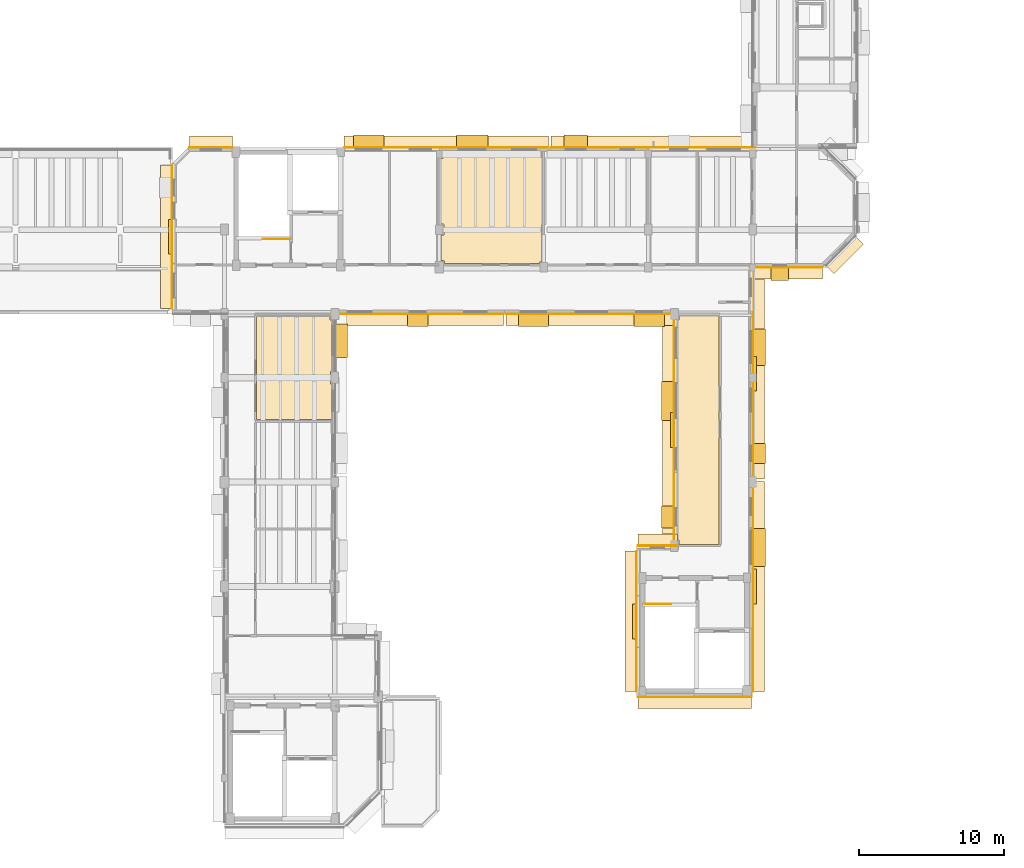
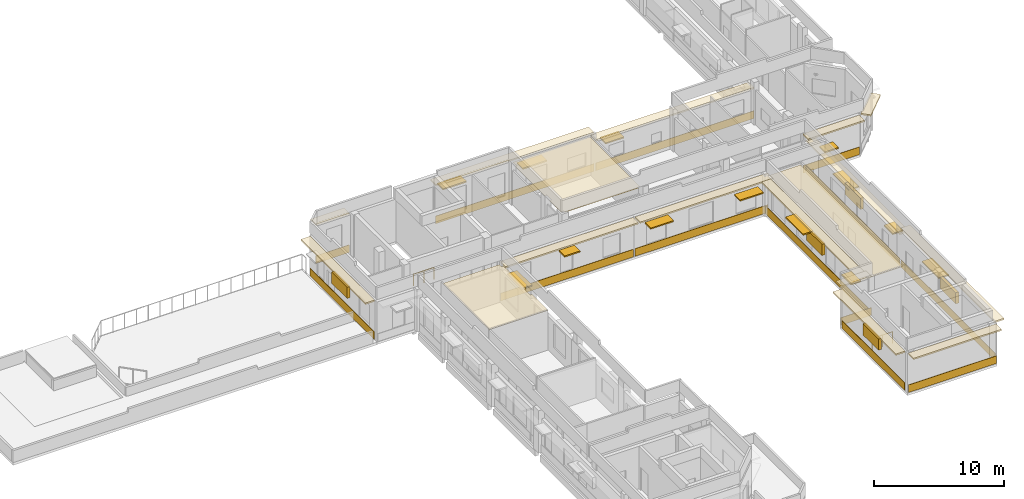
# One storey, part 15 of 17: 30 coverings, 18 shading devices, 2 railings.
"""IFC4 building model written with IfcOpenShell, lengths in metres."""

from ifc_helpers import new_model, si_unit, direction, frame, origin, origin_2d, place, context, subcontext, project, spatial, polyline, rectangle, circle, outline, extrude, material, layer, layer_set, type_object, element, save


model = new_model("IFC4")

# Units and contexts
model_context = context("Model", 3, precision=1e-05, world=origin(), true_north=direction((0.0, 1.0)))
body_context = subcontext(model_context, "Body", "Model", "MODEL_VIEW")
ifc_project = project(units=[si_unit("LENGTHUNIT", "METRE"), si_unit("AREAUNIT", "SQUARE_METRE"), si_unit("VOLUMEUNIT", "CUBIC_METRE"), si_unit("PLANEANGLEUNIT", "RADIAN"), si_unit("MASSUNIT", "GRAM", prefix="KILO")], contexts=[model_context])

# Site, building, storey
site_placement = place(None, origin())
site = spatial("IfcSite", under=ifc_project, at=site_placement, CompositionType="ELEMENT")
building_placement = place(site_placement, origin())
building = spatial("IfcBuilding", under=site, at=building_placement, Name="Kelanivale Promenade Academy", CompositionType="ELEMENT")
storey_placement = place(building_placement, frame((0.0, 0.0, 20.199951171875)))
storey = spatial("IfcBuildingStorey", under=building, at=storey_placement, Name="L05", CompositionType="ELEMENT", Elevation=20.199951171875)

# Coverings
ifc_material_1 = material(Name="Warm ivory Art Deco stucco frieze band 40 mm", Category="masonry")
ifc_layer_1 = layer(ifc_material_1, 0.0400390625)
ifc_layer_set_1 = layer_set([ifc_layer_1], Name="Warm ivory Art Deco stucco frieze band 40 mm")
covering_type_1 = type_object("IfcCoveringType", Name="COV-CLD2 Warm ivory Art Deco stucco frieze ba", PredefinedType="CLADDING", material=ifc_layer_set_1)
covering_1_placement = place(storey_placement, frame((92.510009765625, 68.0, 3.6201171875), z_axis=(0.0, 0.0, 1.0), x_axis=(1.0, 0.0, 0.0)))
element("IfcCovering", 1, at=covering_1_placement, inside=storey, type_object=covering_type_1, Name="Art Deco projecting 820 mm streamline sunshade eyebrow ledge", PredefinedType="CLADDING", context=body_context, shape_type="SweptSolid", body=[
    extrude(rectangle(XDim=11.820068359375, YDim=0.820068359375, at=origin_2d()), origin(), (0.0, 0.0, 1.0), 0.139892578125),
])
covering_2_placement = place(storey_placement, frame((92.510009765625, 68.385009765625, 0.06005859375), z_axis=(0.0, 0.0, 1.0), x_axis=(1.0, 0.0, 0.0)))
element("IfcCovering", 2, at=covering_2_placement, inside=storey, type_object=covering_type_1, Name="Art Deco ivory stucco sill frieze band", PredefinedType="CLADDING", context=body_context, shape_type="SweptSolid", body=[
    extrude(rectangle(XDim=11.820068359375, YDim=0.0400390625, at=origin_2d()), origin(), (0.0, 0.0, 1.0), 0.719970703125),
])
covering_3_placement = place(storey_placement, frame((104.489990234375, 68.0, 3.6201171875), z_axis=(0.0, 0.0, 1.0), x_axis=(1.0, 0.0, 0.0)))
element("IfcCovering", 3, at=covering_3_placement, inside=storey, type_object=covering_type_1, Name="Art Deco projecting 820 mm streamline sunshade eyebrow ledge", PredefinedType="CLADDING", context=body_context, shape_type="SweptSolid", body=[
    extrude(rectangle(XDim=11.820068359375, YDim=0.820068359375, at=origin_2d()), origin(), (0.0, 0.0, 1.0), 0.139892578125),
])
covering_4_placement = place(storey_placement, frame((104.489990234375, 68.385009765625, 0.06005859375), z_axis=(0.0, 0.0, 1.0), x_axis=(1.0, 0.0, 0.0)))
element("IfcCovering", 4, at=covering_4_placement, inside=storey, type_object=covering_type_1, Name="Art Deco ivory stucco sill frieze band", PredefinedType="CLADDING", context=body_context, shape_type="SweptSolid", body=[
    extrude(rectangle(XDim=11.820068359375, YDim=0.0400390625, at=origin_2d()), origin(), (0.0, 0.0, 1.0), 0.719970703125),
])
covering_5_placement = place(storey_placement, frame((109.800048828125, 60.39990234375, 3.6201171875), z_axis=(0.0, 0.0, 1.0), x_axis=(0.0, -1.0, 0.0)))
element("IfcCovering", 5, at=covering_5_placement, inside=storey, type_object=covering_type_1, Name="Art Deco projecting 820 mm streamline sunshade eyebrow ledge", PredefinedType="CLADDING", context=body_context, shape_type="SweptSolid", body=[
    extrude(rectangle(XDim=15.840087890625, YDim=0.820068359375, at=origin_2d()), origin(), (0.0, 0.0, 1.0), 0.139892578125),
])
covering_6_placement = place(storey_placement, frame((110.18505859375, 60.39990234375, 0.06005859375), z_axis=(0.0, 0.0, 1.0), x_axis=(0.0, -1.0, 0.0)))
element("IfcCovering", 6, at=covering_6_placement, inside=storey, type_object=covering_type_1, Name="Art Deco ivory stucco sill frieze band", PredefinedType="CLADDING", context=body_context, shape_type="SweptSolid", body=[
    extrude(rectangle(XDim=15.840087890625, YDim=0.0400390625, at=origin_2d()), origin(), (0.0, 0.0, 1.0), 0.719970703125),
])
covering_7_placement = place(storey_placement, frame((109.0400390625, 52.800048828125, 3.6201171875), z_axis=(0.0, 0.0, 1.0), x_axis=(-1.0, 0.0, 0.0)))
element("IfcCovering", 7, at=covering_7_placement, inside=storey, type_object=covering_type_1, Name="Art Deco projecting 820 mm streamline sunshade eyebrow ledge", PredefinedType="CLADDING", context=body_context, shape_type="SweptSolid", body=[
    extrude(rectangle(XDim=2.719970703125, YDim=0.820068359375, at=origin_2d()), origin(), (0.0, 0.0, 1.0), 0.139892578125),
])
covering_8_placement = place(storey_placement, frame((109.0400390625, 52.4150390625, 0.06005859375), z_axis=(0.0, 0.0, 1.0), x_axis=(-1.0, 0.0, 0.0)))
element("IfcCovering", 8, at=covering_8_placement, inside=storey, type_object=covering_type_1, Name="Art Deco ivory stucco sill frieze band", PredefinedType="CLADDING", context=body_context, shape_type="SweptSolid", body=[
    extrude(rectangle(XDim=2.719970703125, YDim=0.0400390625, at=origin_2d()), origin(), (0.0, 0.0, 1.0), 0.719970703125),
])
covering_9_placement = place(storey_placement, frame((107.199951171875, 47.199951171875, 3.6201171875), z_axis=(0.0, 0.0, 1.0), x_axis=(0.0, -1.0, 0.0)))
element("IfcCovering", 9, at=covering_9_placement, inside=storey, type_object=covering_type_1, Name="Art Deco projecting 820 mm streamline sunshade eyebrow ledge", PredefinedType="CLADDING", context=body_context, shape_type="SweptSolid", body=[
    extrude(rectangle(XDim=9.679931640625, YDim=0.820068359375, at=origin_2d()), origin(), (0.0, 0.0, 1.0), 0.139892578125),
])
covering_10_placement = place(storey_placement, frame((107.5849609375, 47.199951171875, 0.06005859375), z_axis=(0.0, 0.0, 1.0), x_axis=(0.0, -1.0, 0.0)))
element("IfcCovering", 10, at=covering_10_placement, inside=storey, type_object=covering_type_1, Name="Art Deco ivory stucco sill frieze band", PredefinedType="CLADDING", context=body_context, shape_type="SweptSolid", body=[
    extrude(rectangle(XDim=9.679931640625, YDim=0.0400390625, at=origin_2d()), origin(), (0.0, 0.0, 1.0), 0.719970703125),
])
covering_11_placement = place(storey_placement, frame((111.60009765625, 41.60009765625, 3.6201171875), z_axis=(0.0, 0.0, 1.0), x_axis=(1.0, 0.0, 0.0)))
element("IfcCovering", 11, at=covering_11_placement, inside=storey, type_object=covering_type_1, Name="Art Deco projecting 820 mm streamline sunshade eyebrow ledge", PredefinedType="CLADDING", context=body_context, shape_type="SweptSolid", body=[
    extrude(rectangle(XDim=7.840087890625, YDim=0.820068359375, at=origin_2d()), origin(), (0.0, 0.0, 1.0), 0.139892578125),
])
covering_12_placement = place(storey_placement, frame((111.60009765625, 41.985107421875, 0.06005859375), z_axis=(0.0, 0.0, 1.0), x_axis=(1.0, 0.0, 0.0)))
element("IfcCovering", 12, at=covering_12_placement, inside=storey, type_object=covering_type_1, Name="Art Deco ivory stucco sill frieze band", PredefinedType="CLADDING", context=body_context, shape_type="SweptSolid", body=[
    extrude(rectangle(XDim=7.840087890625, YDim=0.0400390625, at=origin_2d()), origin(), (0.0, 0.0, 1.0), 0.719970703125),
])
covering_13_placement = place(storey_placement, frame((116.0, 49.610107421875, 3.6201171875), z_axis=(0.0, 0.0, 1.0), x_axis=(0.0, 1.0, 0.0)))
element("IfcCovering", 13, at=covering_13_placement, inside=storey, type_object=covering_type_1, Name="Art Deco projecting 820 mm streamline sunshade eyebrow ledge", PredefinedType="CLADDING", context=body_context, shape_type="SweptSolid", body=[
    extrude(rectangle(XDim=14.5, YDim=0.820068359375, at=origin_2d()), origin(), (0.0, 0.0, 1.0), 0.139892578125),
])
covering_14_placement = place(storey_placement, frame((115.614990234375, 49.610107421875, 0.06005859375), z_axis=(0.0, 0.0, 1.0), x_axis=(0.0, 1.0, 0.0)))
element("IfcCovering", 14, at=covering_14_placement, inside=storey, type_object=covering_type_1, Name="Art Deco ivory stucco sill frieze band", PredefinedType="CLADDING", context=body_context, shape_type="SweptSolid", body=[
    extrude(rectangle(XDim=14.5, YDim=0.0400390625, at=origin_2d()), origin(), (0.0, 0.0, 1.0), 0.719970703125),
])
covering_15_placement = place(storey_placement, frame((116.0, 64.27001953125, 2.9951171875), z_axis=(0.0, 0.0, 1.0), x_axis=(0.0, 1.0, 0.0)))
element("IfcCovering", 15, at=covering_15_placement, inside=storey, type_object=covering_type_1, Name="Art Deco projecting 820 mm streamline sunshade eyebrow ledge", PredefinedType="CLADDING", context=body_context, shape_type="SweptSolid", body=[
    extrude(rectangle(XDim=14.5, YDim=0.820068359375, at=origin_2d()), origin(), (0.0, 0.0, 1.0), 0.139892578125),
])
covering_16_placement = place(storey_placement, frame((115.614990234375, 64.27001953125, 0.06005859375), z_axis=(0.0, 0.0, 1.0), x_axis=(0.0, 1.0, 0.0)))
element("IfcCovering", 16, at=covering_16_placement, inside=storey, type_object=covering_type_1, Name="Art Deco ivory stucco sill frieze band", PredefinedType="CLADDING", context=body_context, shape_type="SweptSolid", body=[
    extrude(rectangle(XDim=14.5, YDim=0.0400390625, at=origin_2d()), origin(), (0.0, 0.0, 1.0), 0.719970703125),
])
covering_17_placement = place(storey_placement, frame((117.904052734375, 71.199951171875, 3.6201171875), z_axis=(0.0, 0.0, 1.0), x_axis=(1.0, 0.0, 0.0)))
element("IfcCovering", 17, at=covering_17_placement, inside=storey, type_object=covering_type_1, Name="Art Deco projecting 820 mm streamline sunshade eyebrow ledge", PredefinedType="CLADDING", context=body_context, shape_type="SweptSolid", body=[
    extrude(rectangle(XDim=5.008056640625, YDim=0.820068359375, at=origin_2d()), origin(), (0.0, 0.0, 1.0), 0.139892578125),
])
covering_18_placement = place(storey_placement, frame((117.904052734375, 71.5849609375, 0.06005859375), z_axis=(0.0, 0.0, 1.0), x_axis=(1.0, 0.0, 0.0)))
element("IfcCovering", 18, at=covering_18_placement, inside=storey, type_object=covering_type_1, Name="Art Deco ivory stucco sill frieze band", PredefinedType="CLADDING", context=body_context, shape_type="SweptSolid", body=[
    extrude(rectangle(XDim=5.008056640625, YDim=0.0400390625, at=origin_2d()), origin(), (0.0, 0.0, 1.0), 0.719970703125),
])
covering_19_placement = place(storey_placement, frame((121.927978515625, 72.471923828125, 3.6201171875), z_axis=(0.0, 0.0, 1.0), x_axis=(0.707106781187, 0.707106781187, 0.0)))
element("IfcCovering", 19, at=covering_19_placement, inside=storey, type_object=covering_type_1, Name="Art Deco projecting 820 mm streamline sunshade eyebrow ledge", PredefinedType="CLADDING", context=body_context, shape_type="SweptSolid", body=[
    extrude(rectangle(XDim=2.865966796875, YDim=0.820068359375, at=origin_2d()), origin(), (0.0, 0.0, 1.0), 0.139892578125),
])
covering_20_placement = place(storey_placement, frame((108.7509765625, 80.25, 2.84521484375), z_axis=(0.0, 0.0, 1.0), x_axis=(-1.0, 0.0, 0.0)))
element("IfcCovering", 20, at=covering_20_placement, inside=storey, type_object=covering_type_1, Name="Art Deco projecting 820 mm streamline sunshade eyebrow ledge", PredefinedType="CLADDING", context=body_context, shape_type="SweptSolid", body=[
    extrude(rectangle(XDim=14.096923828125, YDim=0.820068359375, at=origin_2d()), origin(), (0.0, 0.0, 1.0), 0.139892578125),
])
covering_21_placement = place(storey_placement, frame((108.7509765625, 79.864990234375, 0.06005859375), z_axis=(0.0, 0.0, 1.0), x_axis=(-1.0, 0.0, 0.0)))
element("IfcCovering", 21, at=covering_21_placement, inside=storey, type_object=covering_type_1, Name="Art Deco ivory stucco sill frieze band", PredefinedType="CLADDING", context=body_context, shape_type="SweptSolid", body=[
    extrude(rectangle(XDim=14.096923828125, YDim=0.0400390625, at=origin_2d()), origin(), (0.0, 0.0, 1.0), 0.719970703125),
])
covering_22_placement = place(storey_placement, frame((94.493896484375, 80.25, 3.6201171875), z_axis=(0.0, 0.0, 1.0), x_axis=(-1.0, 0.0, 0.0)))
element("IfcCovering", 22, at=covering_22_placement, inside=storey, type_object=covering_type_1, Name="Art Deco projecting 820 mm streamline sunshade eyebrow ledge", PredefinedType="CLADDING", context=body_context, shape_type="SweptSolid", body=[
    extrude(rectangle(XDim=14.097900390625, YDim=0.820068359375, at=origin_2d()), origin(), (0.0, 0.0, 1.0), 0.139892578125),
])
covering_23_placement = place(storey_placement, frame((94.493896484375, 79.864990234375, 0.06005859375), z_axis=(0.0, 0.0, 1.0), x_axis=(-1.0, 0.0, 0.0)))
element("IfcCovering", 23, at=covering_23_placement, inside=storey, type_object=covering_type_1, Name="Art Deco ivory stucco sill frieze band", PredefinedType="CLADDING", context=body_context, shape_type="SweptSolid", body=[
    extrude(rectangle(XDim=14.097900390625, YDim=0.0400390625, at=origin_2d()), origin(), (0.0, 0.0, 1.0), 0.719970703125),
])
covering_24_placement = place(storey_placement, frame((78.26806640625, 80.25, 3.6201171875), z_axis=(0.0, 0.0, 1.0), x_axis=(-1.0, 0.0, 0.0)))
element("IfcCovering", 24, at=covering_24_placement, inside=storey, type_object=covering_type_1, Name="Art Deco projecting 820 mm streamline sunshade eyebrow ledge", PredefinedType="CLADDING", context=body_context, shape_type="SweptSolid", body=[
    extrude(rectangle(XDim=2.972900390625, YDim=0.820068359375, at=origin_2d()), origin(), (0.0, 0.0, 1.0), 0.139892578125),
])
covering_25_placement = place(storey_placement, frame((78.26806640625, 79.864990234375, 0.06005859375), z_axis=(0.0, 0.0, 1.0), x_axis=(-1.0, 0.0, 0.0)))
element("IfcCovering", 25, at=covering_25_placement, inside=storey, type_object=covering_type_1, Name="Art Deco ivory stucco sill frieze band", PredefinedType="CLADDING", context=body_context, shape_type="SweptSolid", body=[
    extrude(rectangle(XDim=2.972900390625, YDim=0.0400390625, at=origin_2d()), origin(), (0.0, 0.0, 1.0), 0.719970703125),
])
covering_26_placement = place(storey_placement, frame((75.199951171875, 73.714111328125, 3.6201171875), z_axis=(0.0, 0.0, 1.0), x_axis=(0.0, -1.0, 0.0)))
element("IfcCovering", 26, at=covering_26_placement, inside=storey, type_object=covering_type_1, Name="Art Deco projecting 820 mm streamline sunshade eyebrow ledge", PredefinedType="CLADDING", context=body_context, shape_type="SweptSolid", body=[
    extrude(rectangle(XDim=9.907958984375, YDim=0.820068359375, at=origin_2d()), origin(), (0.0, 0.0, 1.0), 0.139892578125),
])
covering_27_placement = place(storey_placement, frame((75.5849609375, 73.714111328125, 0.06005859375), z_axis=(0.0, 0.0, 1.0), x_axis=(0.0, -1.0, 0.0)))
element("IfcCovering", 27, at=covering_27_placement, inside=storey, type_object=covering_type_1, Name="Art Deco ivory stucco sill frieze band", PredefinedType="CLADDING", context=body_context, shape_type="SweptSolid", body=[
    extrude(rectangle(XDim=9.907958984375, YDim=0.0400390625, at=origin_2d()), origin(), (0.0, 0.0, 1.0), 0.719970703125),
])
ifc_material_2 = material(Name="Acoustic mineral-fibre ceiling tile 25 mm", Category="gypsum")
ifc_layer_2 = layer(ifc_material_2, 0.02490234375)
ifc_layer_set_2 = layer_set([ifc_layer_2], Name="Acoustic mineral-fibre ceiling tile 25 mm")
covering_type_2 = type_object("IfcCoveringType", Name="COV-CLG1 Acoustic mineral-fibre ceiling tile ", PredefinedType="CEILING", material=ifc_layer_set_2)
covering_28_placement = place(storey_placement, frame((0.0, 0.0, 3.550048828125)))
element("IfcCovering", 28, at=covering_28_placement, inside=storey, type_object=covering_type_2, Name="Sixth Form Media Tutorial Studio acoustic suspended ceiling", PredefinedType="CEILING", context=body_context, shape_type="SweptSolid", body=[
    extrude(outline(polyline([(110.35009765625, 52.8349609375), (110.469970703125, 52.8349609375), (110.47412109375, 52.8349609375), (110.47802734375, 52.833984375), (110.48193359375, 52.8330078125), (110.485107421875, 52.83203125), (110.489013671875, 52.830078125), (110.491943359375, 52.827880859375), (110.4951171875, 52.825927734375), (110.498046875, 52.822998046875), (110.5009765625, 52.820068359375), (110.5029296875, 52.81689453125), (110.5048828125, 52.81396484375), (110.507080078125, 52.81005859375), (110.508056640625, 52.806884765625), (110.509033203125, 52.802978515625), (110.510009765625, 52.799072265625), (110.510009765625, 52.794921875), (110.510009765625, 52.510009765625), (113.2900390625, 52.510009765625), (113.2900390625, 68.2900390625), (110.534912109375, 68.2900390625), (110.534912109375, 68.0048828125), (110.534912109375, 68.0009765625), (110.533935546875, 67.9970703125), (110.532958984375, 67.992919921875), (110.531982421875, 67.989990234375), (110.530029296875, 67.986083984375), (110.528076171875, 67.98291015625), (110.52587890625, 67.97998046875), (110.52294921875, 67.97705078125), (110.52001953125, 67.97412109375), (110.51708984375, 67.971923828125), (110.513916015625, 67.969970703125), (110.510009765625, 67.968017578125), (110.507080078125, 67.967041015625), (110.5029296875, 67.966064453125), (110.4990234375, 67.965087890625), (110.4951171875, 67.965087890625), (110.35009765625, 67.965087890625), (110.35009765625, 52.8349609375)])), origin(), (0.0, 0.0, 1.0), 0.02490234375),
])
covering_29_placement = place(storey_placement, frame((0.0, 0.0, 3.550048828125)))
element("IfcCovering", 29, at=covering_29_placement, inside=storey, type_object=covering_type_2, Name="Examinations Office acoustic suspended ceiling", PredefinedType="CEILING", context=body_context, shape_type="SweptSolid", body=[
    extrude(outline(polyline([(81.409912109375, 61.110107421875), (86.64990234375, 61.110107421875), (86.64990234375, 63.56494140625), (86.530029296875, 63.56494140625), (86.52587890625, 63.56494140625), (86.52197265625, 63.56591796875), (86.51806640625, 63.56689453125), (86.514892578125, 63.568115234375), (86.510986328125, 63.570068359375), (86.508056640625, 63.572021484375), (86.5048828125, 63.573974609375), (86.501953125, 63.576904296875), (86.4990234375, 63.580078125), (86.4970703125, 63.5830078125), (86.4951171875, 63.5859375), (86.492919921875, 63.590087890625), (86.491943359375, 63.593017578125), (86.490966796875, 63.596923828125), (86.489990234375, 63.60107421875), (86.489990234375, 63.60498046875), (86.489990234375, 64.39501953125), (86.489990234375, 64.39892578125), (86.490966796875, 64.403076171875), (86.491943359375, 64.406982421875), (86.492919921875, 64.409912109375), (86.4951171875, 64.4140625), (86.4970703125, 64.4169921875), (86.4990234375, 64.419921875), (86.501953125, 64.423095703125), (86.5048828125, 64.426025390625), (86.508056640625, 64.427978515625), (86.510986328125, 64.429931640625), (86.514892578125, 64.431884765625), (86.51806640625, 64.43310546875), (86.52197265625, 64.43408203125), (86.52587890625, 64.43505859375), (86.530029296875, 64.43505859375), (86.64990234375, 64.43505859375), (86.64990234375, 67.965087890625), (86.5048828125, 67.965087890625), (86.5009765625, 67.965087890625), (86.4970703125, 67.966064453125), (86.492919921875, 67.967041015625), (86.489990234375, 67.968017578125), (86.486083984375, 67.969970703125), (86.48291015625, 67.971923828125), (86.47998046875, 67.97412109375), (86.47705078125, 67.97705078125), (86.47412109375, 67.97998046875), (86.471923828125, 67.98291015625), (86.469970703125, 67.986083984375), (86.468017578125, 67.989990234375), (86.467041015625, 67.992919921875), (86.466064453125, 67.9970703125), (86.465087890625, 68.0009765625), (86.465087890625, 68.0048828125), (86.465087890625, 68.2900390625), (81.409912109375, 68.2900390625), (81.409912109375, 61.110107421875)])), origin(), (0.0, 0.0, 1.0), 0.02490234375),
])
covering_30_placement = place(storey_placement, frame((0.0, 0.0, 3.550048828125)))
element("IfcCovering", 30, at=covering_30_placement, inside=storey, type_object=covering_type_2, Name="Sixth Form Classroom East acoustic suspended ceiling", PredefinedType="CEILING", context=body_context, shape_type="SweptSolid", body=[
    extrude(outline(polyline([(100.889892578125, 71.860107421875), (100.889892578125, 71.945068359375), (100.889892578125, 71.948974609375), (100.89111328125, 71.952880859375), (100.89208984375, 71.95703125), (100.89306640625, 71.9599609375), (100.89501953125, 71.964111328125), (100.89697265625, 71.967041015625), (100.89892578125, 71.969970703125), (100.902099609375, 71.972900390625), (100.905029296875, 71.97607421875), (100.907958984375, 71.97802734375), (100.910888671875, 71.97998046875), (100.9150390625, 71.98193359375), (100.91796875, 71.98291015625), (100.922119140625, 71.98388671875), (100.926025390625, 71.985107421875), (100.929931640625, 71.985107421875), (101.090087890625, 71.985107421875), (101.090087890625, 79.699951171875), (94.24609375, 79.699951171875), (94.248046875, 79.697998046875), (94.2509765625, 79.695068359375), (94.2529296875, 79.69189453125), (94.2548828125, 79.68896484375), (94.257080078125, 79.68505859375), (94.258056640625, 79.681884765625), (94.259033203125, 79.677978515625), (94.260009765625, 79.674072265625), (94.260009765625, 79.669921875), (94.260009765625, 79.1298828125), (94.260009765625, 79.1259765625), (94.259033203125, 79.1220703125), (94.258056640625, 79.117919921875), (94.257080078125, 79.114990234375), (94.2548828125, 79.111083984375), (94.2529296875, 79.10791015625), (94.2509765625, 79.10498046875), (94.248046875, 79.10205078125), (94.2451171875, 79.09912109375), (94.241943359375, 79.096923828125), (94.239013671875, 79.094970703125), (94.235107421875, 79.093017578125), (94.23193359375, 79.092041015625), (94.22802734375, 79.091064453125), (94.22412109375, 79.090087890625), (94.219970703125, 79.090087890625), (94.110107421875, 79.090087890625), (94.110107421875, 74.5849609375), (94.27001953125, 74.5849609375), (94.27392578125, 74.5849609375), (94.278076171875, 74.583984375), (94.281982421875, 74.5830078125), (94.284912109375, 74.58203125), (94.2890625, 74.580078125), (94.2919921875, 74.577880859375), (94.294921875, 74.575927734375), (94.298095703125, 74.572998046875), (94.301025390625, 74.570068359375), (94.302978515625, 74.56689453125), (94.304931640625, 74.56396484375), (94.306884765625, 74.56005859375), (94.30810546875, 74.556884765625), (94.30908203125, 74.552978515625), (94.31005859375, 74.549072265625), (94.31005859375, 74.544921875), (94.31005859375, 73.85498046875), (94.31005859375, 73.85107421875), (94.30908203125, 73.846923828125), (94.30810546875, 73.843017578125), (94.306884765625, 73.840087890625), (94.304931640625, 73.8359375), (94.302978515625, 73.8330078125), (94.301025390625, 73.830078125), (94.298095703125, 73.826904296875), (94.294921875, 73.823974609375), (94.2919921875, 73.822021484375), (94.2890625, 73.820068359375), (94.284912109375, 73.818115234375), (94.281982421875, 73.81689453125), (94.278076171875, 73.81591796875), (94.27392578125, 73.81494140625), (94.27001953125, 73.81494140625), (94.110107421875, 73.81494140625), (94.110107421875, 72.06005859375), (94.320068359375, 72.06005859375), (94.323974609375, 72.06005859375), (94.327880859375, 72.05908203125), (94.33203125, 72.05810546875), (94.3349609375, 72.056884765625), (94.339111328125, 72.054931640625), (94.342041015625, 72.052978515625), (94.344970703125, 72.051025390625), (94.347900390625, 72.048095703125), (94.35107421875, 72.044921875), (94.35302734375, 72.0419921875), (94.35498046875, 72.0390625), (94.35693359375, 72.034912109375), (94.35791015625, 72.031982421875), (94.35888671875, 72.028076171875), (94.360107421875, 72.02392578125), (94.360107421875, 72.02001953125), (94.360107421875, 71.860107421875), (100.889892578125, 71.860107421875)])), origin(), (0.0, 0.0, 1.0), 0.02490234375),
])

# Railings
ifc_material_3 = material(Name="Brushed stainless steel grade 316", Category="steel")
railing_type = type_object("IfcRailingType", Name="GR-01 Stair Guard 1100mm", PredefinedType="BALUSTRADE", material=ifc_material_3)
railing_1_placement = place(storey_placement, frame((83.6650390625, 73.554931640625, 0.0)))
element("IfcRailing", 31, at=railing_1_placement, inside=storey, type_object=railing_type, Name="L05 ST-02 top well guard 1", PredefinedType="BALUSTRADE", context=body_context, shape_type="SweptSolid", body=[
    extrude(circle(Radius=0.02392578125, at=origin_2d()), frame((0.0, 0.0, 1.09619140625), z_axis=(-1.0, 0.0, 0.0), x_axis=(0.0, -1.0, 0.0)), (0.0, 0.0, 1.0), 1.81005859375),
    extrude(circle(Radius=0.02099609375, at=origin_2d()), origin(), (0.0, 0.0, 1.0), 1.072021484375),
    extrude(circle(Radius=0.02099609375, at=origin_2d()), frame((-0.905029296875, 0.0, 0.0)), (0.0, 0.0, 1.0), 1.072021484375),
    extrude(circle(Radius=0.02099609375, at=origin_2d()), frame((-1.81005859375, 0.0, 0.0)), (0.0, 0.0, 1.0), 1.072021484375),
])
railing_2_placement = place(storey_placement, frame((108.1650390625, 48.39501953125, 0.0)))
element("IfcRailing", 32, at=railing_2_placement, inside=storey, type_object=railing_type, Name="L05 ST-03 top well guard 1", PredefinedType="BALUSTRADE", context=body_context, shape_type="SweptSolid", body=[
    extrude(circle(Radius=0.02392578125, at=origin_2d()), frame((0.0, 0.0, 1.09619140625), z_axis=(1.0, 0.0, 0.0), x_axis=(0.0, 1.0, 0.0)), (0.0, 0.0, 1.0), 1.81005859375),
    extrude(circle(Radius=0.02099609375, at=origin_2d()), origin(), (0.0, 0.0, 1.0), 1.072021484375),
    extrude(circle(Radius=0.02099609375, at=origin_2d()), frame((0.905029296875, 0.0, 0.0)), (0.0, 0.0, 1.0), 1.072021484375),
    extrude(circle(Radius=0.02099609375, at=origin_2d()), frame((1.81005859375, 0.0, 0.0)), (0.0, 0.0, 1.0), 1.072021484375),
])

# Shading devices
ifc_material_4 = material(Name="Precast concrete C40/50", Category="concrete")
ifc_layer_3 = layer(ifc_material_4, 0.1201171875)
ifc_layer_set_3 = layer_set([ifc_layer_3], Name="Precast concrete C40/50")
shading_device_type_1 = type_object("IfcShadingDeviceType", Name="SHD-01 Art Deco Sunshade Eyebrow 900mm", PredefinedType="USERDEFINED", material=ifc_layer_set_3)
shading_device_1_placement = place(storey_placement, frame((87.239990234375, 66.550048828125, 2.860107421875), z_axis=(0.0, 0.0, 1.0), x_axis=(0.0, 1.0, 0.0)))
element("IfcShadingDevice", 33, at=shading_device_1_placement, inside=storey, type_object=shading_device_type_1, Name="Art Deco 900 mm precast chajja window sunshade", ObjectType="SUNSHADE", PredefinedType="USERDEFINED", context=body_context, shape_type="SweptSolid", body=[
    extrude(rectangle(XDim=2.300048828125, YDim=0.89990234375, at=origin_2d()), origin(), (0.0, 0.0, 1.0), 0.1201171875),
])
shading_device_2_placement = place(storey_placement, frame((92.510009765625, 67.9599609375, 2.860107421875), z_axis=(0.0, 0.0, 1.0), x_axis=(1.0, 0.0, 0.0)))
element("IfcShadingDevice", 34, at=shading_device_2_placement, inside=storey, type_object=shading_device_type_1, Name="Art Deco 900 mm precast chajja window sunshade", ObjectType="SUNSHADE", PredefinedType="USERDEFINED", context=body_context, shape_type="SweptSolid", body=[
    extrude(rectangle(XDim=1.39990234375, YDim=0.89990234375, at=origin_2d()), origin(), (0.0, 0.0, 1.0), 0.1201171875),
])
shading_device_3_placement = place(storey_placement, frame((100.4970703125, 67.9599609375, 2.81005859375), z_axis=(0.0, 0.0, 1.0), x_axis=(1.0, 0.0, 0.0)))
element("IfcShadingDevice", 35, at=shading_device_3_placement, inside=storey, type_object=shading_device_type_1, Name="Art Deco 900 mm precast chajja window sunshade", ObjectType="SUNSHADE", PredefinedType="USERDEFINED", context=body_context, shape_type="SweptSolid", body=[
    extrude(rectangle(XDim=2.050048828125, YDim=0.89990234375, at=origin_2d()), origin(), (0.0, 0.0, 1.0), 0.1201171875),
])
shading_device_4_placement = place(storey_placement, frame((108.48291015625, 67.9599609375, 2.659912109375), z_axis=(0.0, 0.0, 1.0), x_axis=(1.0, 0.0, 0.0)))
element("IfcShadingDevice", 36, at=shading_device_4_placement, inside=storey, type_object=shading_device_type_1, Name="Art Deco 900 mm precast chajja window sunshade", ObjectType="SUNSHADE", PredefinedType="USERDEFINED", context=body_context, shape_type="SweptSolid", body=[
    extrude(rectangle(XDim=2.10009765625, YDim=0.89990234375, at=origin_2d()), origin(), (0.0, 0.0, 1.0), 0.1201171875),
])
shading_device_5_placement = place(storey_placement, frame((109.760009765625, 62.39990234375, 2.7099609375), z_axis=(0.0, 0.0, 1.0), x_axis=(0.0, -1.0, 0.0)))
element("IfcShadingDevice", 37, at=shading_device_5_placement, inside=storey, type_object=shading_device_type_1, Name="Art Deco 900 mm precast chajja window sunshade", ObjectType="SUNSHADE", PredefinedType="USERDEFINED", context=body_context, shape_type="SweptSolid", body=[
    extrude(rectangle(XDim=2.699951171875, YDim=0.89990234375, at=origin_2d()), origin(), (0.0, 0.0, 1.0), 0.1201171875),
])
shading_device_6_placement = place(storey_placement, frame((109.760009765625, 54.39990234375, 2.510009765625), z_axis=(0.0, 0.0, 1.0), x_axis=(0.0, -1.0, 0.0)))
element("IfcShadingDevice", 38, at=shading_device_6_placement, inside=storey, type_object=shading_device_type_1, Name="Art Deco 900 mm precast chajja window sunshade", ObjectType="SUNSHADE", PredefinedType="USERDEFINED", context=body_context, shape_type="SweptSolid", body=[
    extrude(rectangle(XDim=1.5, YDim=0.89990234375, at=origin_2d()), origin(), (0.0, 0.0, 1.0), 0.1201171875),
])
shading_device_7_placement = place(storey_placement, frame((116.0400390625, 52.2919921875, 2.510009765625), z_axis=(0.0, 0.0, 1.0), x_axis=(0.0, 1.0, 0.0)))
element("IfcShadingDevice", 39, at=shading_device_7_placement, inside=storey, type_object=shading_device_type_1, Name="Art Deco 900 mm precast chajja window sunshade", ObjectType="SUNSHADE", PredefinedType="USERDEFINED", context=body_context, shape_type="SweptSolid", body=[
    extrude(rectangle(XDim=2.60009765625, YDim=0.89990234375, at=origin_2d()), origin(), (0.0, 0.0, 1.0), 0.1201171875),
])
shading_device_8_placement = place(storey_placement, frame((116.0400390625, 58.77197265625, 2.360107421875), z_axis=(0.0, 0.0, 1.0), x_axis=(0.0, 1.0, 0.0)))
element("IfcShadingDevice", 40, at=shading_device_8_placement, inside=storey, type_object=shading_device_type_1, Name="Art Deco 900 mm precast chajja window sunshade", ObjectType="SUNSHADE", PredefinedType="USERDEFINED", context=body_context, shape_type="SweptSolid", body=[
    extrude(rectangle(XDim=1.35009765625, YDim=0.89990234375, at=origin_2d()), origin(), (0.0, 0.0, 1.0), 0.1201171875),
])
shading_device_9_placement = place(storey_placement, frame((116.0400390625, 66.10205078125, 2.409912109375), z_axis=(0.0, 0.0, 1.0), x_axis=(0.0, 1.0, 0.0)))
element("IfcShadingDevice", 41, at=shading_device_9_placement, inside=storey, type_object=shading_device_type_1, Name="Art Deco 900 mm precast chajja window sunshade", ObjectType="SUNSHADE", PredefinedType="USERDEFINED", context=body_context, shape_type="SweptSolid", body=[
    extrude(rectangle(XDim=2.5, YDim=0.89990234375, at=origin_2d()), origin(), (0.0, 0.0, 1.0), 0.1201171875),
])
shading_device_10_placement = place(storey_placement, frame((117.4541015625, 71.159912109375, 1.9599609375), z_axis=(0.0, 0.0, 1.0), x_axis=(1.0, 0.0, 0.0)))
element("IfcShadingDevice", 42, at=shading_device_10_placement, inside=storey, type_object=shading_device_type_1, Name="Art Deco 900 mm precast chajja window sunshade", ObjectType="SUNSHADE", PredefinedType="USERDEFINED", context=body_context, shape_type="SweptSolid", body=[
    extrude(rectangle(XDim=1.199951171875, YDim=0.89990234375, at=origin_2d()), origin(), (0.0, 0.0, 1.0), 0.1201171875),
])
shading_device_11_placement = place(storey_placement, frame((103.405029296875, 80.2900390625, 2.260009765625), z_axis=(0.0, 0.0, 1.0), x_axis=(-1.0, 0.0, 0.0)))
element("IfcShadingDevice", 43, at=shading_device_11_placement, inside=storey, type_object=shading_device_type_1, Name="Art Deco 900 mm precast chajja window sunshade", ObjectType="SUNSHADE", PredefinedType="USERDEFINED", context=body_context, shape_type="SweptSolid", body=[
    extrude(rectangle(XDim=1.64990234375, YDim=0.89990234375, at=origin_2d()), origin(), (0.0, 0.0, 1.0), 0.1201171875),
])
shading_device_12_placement = place(storey_placement, frame((96.27587890625, 80.2900390625, 2.4599609375), z_axis=(0.0, 0.0, 1.0), x_axis=(-1.0, 0.0, 0.0)))
element("IfcShadingDevice", 44, at=shading_device_12_placement, inside=storey, type_object=shading_device_type_1, Name="Art Deco 900 mm precast chajja window sunshade", ObjectType="SUNSHADE", PredefinedType="USERDEFINED", context=body_context, shape_type="SweptSolid", body=[
    extrude(rectangle(XDim=2.14990234375, YDim=0.89990234375, at=origin_2d()), origin(), (0.0, 0.0, 1.0), 0.1201171875),
])
shading_device_13_placement = place(storey_placement, frame((89.14697265625, 80.2900390625, 3.010009765625), z_axis=(0.0, 0.0, 1.0), x_axis=(-1.0, 0.0, 0.0)))
element("IfcShadingDevice", 45, at=shading_device_13_placement, inside=storey, type_object=shading_device_type_1, Name="Art Deco 900 mm precast chajja window sunshade", ObjectType="SUNSHADE", PredefinedType="USERDEFINED", context=body_context, shape_type="SweptSolid", body=[
    extrude(rectangle(XDim=2.10009765625, YDim=0.89990234375, at=origin_2d()), origin(), (0.0, 0.0, 1.0), 0.1201171875),
])
ifc_material_5 = material(Name="Bronze anodised aluminium EN AW-6063 T6", Category="aluminium")
ifc_layer_4 = layer(ifc_material_5, 0.080078125)
ifc_layer_set_4 = layer_set([ifc_layer_4], Name="Bronze anodised aluminium EN AW-6063 T6")
shading_device_type_2 = type_object("IfcShadingDeviceType", Name="SHD-02 Perforated Brise-Soleil Screen", PredefinedType="JALOUSIE", material=ifc_layer_set_4)
for number, where, z_axis, x_axis, name in (
    (46, (110.06494140625, 60.39990234375, 1.72509765625), (0.0, 0.0, 1.0), (0.0, -1.0, 0.0), "Perforated Art Deco brise-soleil louvre screen"),
    (47, (107.465087890625, 47.199951171875, 1.72509765625), (0.0, 0.0, 1.0), (0.0, -1.0, 0.0), "Perforated Art Deco brise-soleil louvre screen"),
    (48, (115.735107421875, 49.610107421875, 1.72509765625), (0.0, 0.0, 1.0), (0.0, 1.0, 0.0), "Perforated Art Deco brise-soleil louvre screen"),
    (49, (115.735107421875, 64.27001953125, 1.72509765625), (0.0, 0.0, 1.0), (0.0, 1.0, 0.0), "Perforated Art Deco brise-soleil louvre screen"),
    (50, (75.465087890625, 73.714111328125, 1.72509765625), (0.0, 0.0, 1.0), (0.0, -1.0, 0.0), "Perforated Art Deco brise-soleil louvre screen"),
):
    element("IfcShadingDevice", number, at=place(storey_placement, frame(where, z_axis=z_axis, x_axis=x_axis)), inside=storey, type_object=shading_device_type_2, Name=name, PredefinedType="JALOUSIE", context=body_context, shape_type="SweptSolid", body=[
        extrude(rectangle(XDim=2.39990234375, YDim=0.280029296875, at=origin_2d()), origin(), (0.0, 0.0, 1.0), 1.050048828125),
    ])

save(model, "model.ifc")
